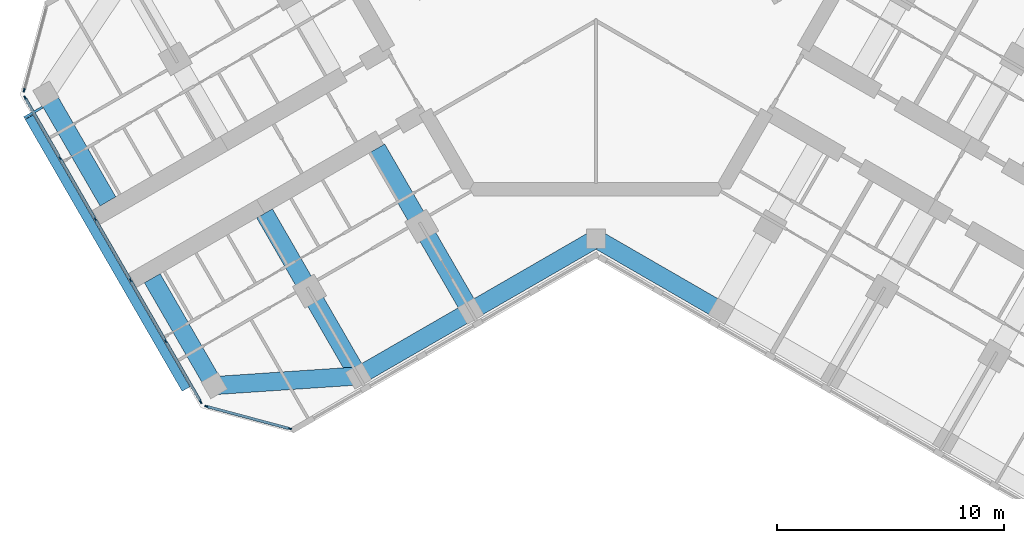
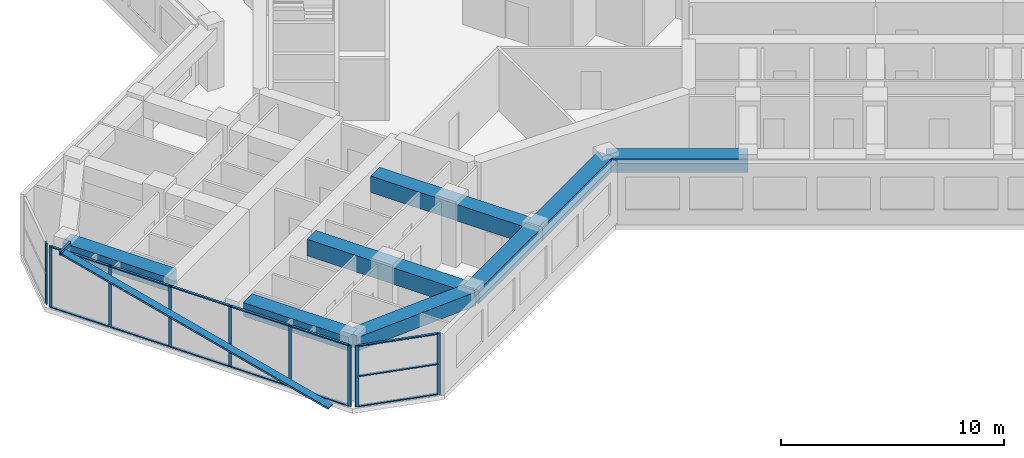
# One storey, part 2 of 16: 24 members, 8 beams, 3 elements without a shape of their own.
"""IFC4 building model written with IfcOpenShell, lengths in metres."""

from ifc_helpers import new_model, si_unit, direction, frame, origin, origin_2d, place, context, subcontext, project, spatial, rectangle, hollow_rectangle, extrude, material, material_profile, profile_set, type_object, element, aggregate, save


model = new_model("IFC4")

# Units and contexts
model_context = context("Model", 3, precision=1e-05, world=origin(), true_north=direction((0.0, 1.0)))
body_context = subcontext(model_context, "Body", "Model", "MODEL_VIEW")
ifc_project = project(units=[si_unit("LENGTHUNIT", "METRE"), si_unit("AREAUNIT", "SQUARE_METRE"), si_unit("VOLUMEUNIT", "CUBIC_METRE"), si_unit("PLANEANGLEUNIT", "RADIAN"), si_unit("MASSUNIT", "GRAM", prefix="KILO")], contexts=[model_context])

# Site, building, storey
site_placement = place(None, origin())
site = spatial("IfcSite", under=ifc_project, at=site_placement, CompositionType="ELEMENT")
building_placement = place(site_placement, origin())
building = spatial("IfcBuilding", under=site, at=building_placement, Name="Kosmar Iwan School Tower", CompositionType="ELEMENT")
storey_placement = place(building_placement, frame((0.0, 0.0, 242.39990234375)))
storey = spatial("IfcBuildingStorey", under=building, at=storey_placement, Name="L61", CompositionType="ELEMENT", Elevation=242.39990234375)

# Members
ifc_material_1 = material(Name="Black anodised aluminium", Category="aluminium")
ifc_material_profile_1 = material_profile(ifc_material_1, rectangle(XDim=0.10009765625, YDim=0.39990234375, at=origin_2d()), Name="FIN 100x400")
ifc_profile_set_1 = profile_set([ifc_material_profile_1], Name="Black anodised aluminium")
member_type_1 = type_object("IfcMemberType", Name="Diagonal fin 100x400", PredefinedType="USERDEFINED", material=ifc_profile_set_1)
member_1_placement = place(storey_placement, frame((-18.0283203125, -18.3740234375, -0.14990234375), z_axis=(-0.483800388566, 0.837965217343, 0.2524905514), x_axis=(0.126245460598, -0.218663124976, 0.96759935999)))
element("IfcMember", 1, at=member_1_placement, inside=storey, type_object=member_type_1, Name="Diagonal fin L61-F11", ObjectType="FIN", PredefinedType="USERDEFINED", context=body_context, shape_type="SweptSolid", body=[
    extrude(rectangle(XDim=0.10009765625, YDim=0.39990234375, at=origin_2d()), origin(), (0.0, 0.0, 1.0), 14.25830078125),
])
ifc_material_2 = material(Name="Steel S355", Category="steel")
ifc_material_profile_2 = material_profile(ifc_material_2, hollow_rectangle(XDim=0.10009765625, YDim=0.199951171875, WallThickness=0.008056640625, at=origin_2d()), Name="RHS 200x100x8")
ifc_profile_set_2 = profile_set([ifc_material_profile_2], Name="Steel S355")
member_type_2 = type_object("IfcMemberType", Name="Fin bracket RHS 200x100", PredefinedType="USERDEFINED", material=ifc_profile_set_2)
member_2_placement = place(storey_placement, frame((-24.337158203125, -5.9970703125, 3.47509765625), z_axis=(-0.866058118026, -0.49994333299, 0.0), x_axis=(0.49994333299, -0.866058118026, 0.0)))
element("IfcMember", 2, at=member_2_placement, inside=storey, type_object=member_type_2, Name="Fin bracket L62", ObjectType="FIN BRACKET", PredefinedType="USERDEFINED", context=body_context, shape_type="SweptSolid", body=[
    extrude(hollow_rectangle(XDim=0.10009765625, YDim=0.199951171875, WallThickness=0.008056640625, at=origin_2d()), origin(), (0.0, 0.0, 1.0), 0.9248046875),
])

# Curtain wall, member
ifc_material_3 = material(Name="Dark glass in black aluminium frame", Category="aluminium")
curtain_wall_type_1 = type_object("IfcCurtainWallType", Name="Chamfer curtain wall dark glass", PredefinedType="USERDEFINED", material=ifc_material_3)
curtain_wall_1_placement = place(storey_placement, origin())
curtain_wall_1 = element("IfcCurtainWall", 3, at=curtain_wall_1_placement, inside=storey, type_object=curtain_wall_type_1, Name="Curtain wall L61-F10", ObjectType="FACETED CURTAIN WALL", PredefinedType="USERDEFINED")
ifc_material_4 = material(Name="Black anodised aluminium", Category="aluminium")
ifc_material_profile_3 = material_profile(ifc_material_4, rectangle(XDim=0.06005859375, YDim=0.159912109375, at=origin_2d()), Name="MULLION 60x160")
ifc_profile_set_3 = profile_set([ifc_material_profile_3], Name="Black anodised aluminium")
member_type_3 = type_object("IfcMemberType", Name="Mullion 60x160", PredefinedType="MULLION", material=ifc_profile_set_3)
member_3_placement = place(storey_placement, frame((-25.141845703125, -5.24853515625, 0.0), z_axis=(0.0, 0.0, 1.0), x_axis=(0.965925875495, -0.258818861462, 0.0)))
member_3 = element("IfcMember", 4, at=member_3_placement, type_object=member_type_3, Name="CW2 mullion 2", PredefinedType="MULLION", context=body_context, shape_type="SweptSolid", body=[
    extrude(rectangle(XDim=0.06005859375, YDim=0.159912109375, at=origin_2d()), origin(), (0.0, 0.0, 1.0), 3.35009765625),
])
aggregate(curtain_wall_1, [member_3])

# Curtain wall, members
ifc_material_5 = material(Name="Dark glass in black aluminium frame", Category="aluminium")
curtain_wall_type_2 = type_object("IfcCurtainWallType", Name="Tower curtain wall dark glass", PredefinedType="USERDEFINED", material=ifc_material_5)
curtain_wall_2_placement = place(storey_placement, origin())
curtain_wall_2 = element("IfcCurtainWall", 5, at=curtain_wall_2_placement, inside=storey, type_object=curtain_wall_type_2, Name="Curtain wall L61-F11", ObjectType="UNITISED CURTAIN WALL", PredefinedType="USERDEFINED")
member_4_placement = place(storey_placement, frame((-25.098388671875, -5.578369140625, 0.0), z_axis=(0.0, 0.0, 1.0), x_axis=(0.866025405329, 0.499999997325, 0.0)))
member_4 = element("IfcMember", 6, at=member_4_placement, type_object=member_type_3, Name="CW1 mullion 1", PredefinedType="MULLION", context=body_context, shape_type="SweptSolid", body=[
    extrude(rectangle(XDim=0.06005859375, YDim=0.159912109375, at=origin_2d()), origin(), (0.0, 0.0, 1.0), 3.35009765625),
])
member_5_placement = place(storey_placement, frame((-23.563720703125, -8.236328125, 0.0), z_axis=(0.0, 0.0, 1.0), x_axis=(0.866025405329, 0.499999997325, 0.0)))
member_5 = element("IfcMember", 7, at=member_5_placement, type_object=member_type_3, Name="CW1 mullion 2", PredefinedType="MULLION", context=body_context, shape_type="SweptSolid", body=[
    extrude(rectangle(XDim=0.06005859375, YDim=0.159912109375, at=origin_2d()), origin(), (0.0, 0.0, 1.0), 3.35009765625),
])
member_6_placement = place(storey_placement, frame((-22.01416015625, -10.92041015625, 0.0), z_axis=(0.0, 0.0, 1.0), x_axis=(0.866025405329, 0.499999997325, 0.0)))
member_6 = element("IfcMember", 8, at=member_6_placement, type_object=member_type_3, Name="CW1 mullion 3", PredefinedType="MULLION", context=body_context, shape_type="SweptSolid", body=[
    extrude(rectangle(XDim=0.06005859375, YDim=0.159912109375, at=origin_2d()), origin(), (0.0, 0.0, 1.0), 3.35009765625),
])
member_7_placement = place(storey_placement, frame((-20.46435546875, -13.6044921875, 0.0), z_axis=(0.0, 0.0, 1.0), x_axis=(0.866025405329, 0.499999997325, 0.0)))
member_7 = element("IfcMember", 9, at=member_7_placement, type_object=member_type_3, Name="CW1 mullion 4", PredefinedType="MULLION", context=body_context, shape_type="SweptSolid", body=[
    extrude(rectangle(XDim=0.06005859375, YDim=0.159912109375, at=origin_2d()), origin(), (0.0, 0.0, 1.0), 3.35009765625),
])
member_8_placement = place(storey_placement, frame((-18.914794921875, -16.28857421875, 0.0), z_axis=(0.0, 0.0, 1.0), x_axis=(0.866025405329, 0.499999997325, 0.0)))
member_8 = element("IfcMember", 10, at=member_8_placement, type_object=member_type_3, Name="CW1 mullion 5", PredefinedType="MULLION", context=body_context, shape_type="SweptSolid", body=[
    extrude(rectangle(XDim=0.06005859375, YDim=0.159912109375, at=origin_2d()), origin(), (0.0, 0.0, 1.0), 3.35009765625),
])
member_9_placement = place(storey_placement, frame((-17.380126953125, -18.94677734375, 0.0), z_axis=(0.0, 0.0, 1.0), x_axis=(0.866025405329, 0.499999997325, 0.0)))
member_9 = element("IfcMember", 11, at=member_9_placement, type_object=member_type_3, Name="CW1 mullion 6", PredefinedType="MULLION", context=body_context, shape_type="SweptSolid", body=[
    extrude(rectangle(XDim=0.06005859375, YDim=0.159912109375, at=origin_2d()), origin(), (0.0, 0.0, 1.0), 3.35009765625),
])

curtain_wall_3_placement = place(storey_placement, origin())
curtain_wall_3 = element("IfcCurtainWall", 12, at=curtain_wall_3_placement, inside=storey, type_object=curtain_wall_type_1, Name="Curtain wall L61-F12", ObjectType="FACETED CURTAIN WALL", PredefinedType="USERDEFINED")
member_10_placement = place(storey_placement, frame((-17.1162109375, -19.149169921875, 0.0), z_axis=(0.0, 0.0, 1.0), x_axis=(0.258818861462, 0.965925875495, 0.0)))
member_10 = element("IfcMember", 13, at=member_10_placement, type_object=member_type_3, Name="CW2 mullion 1", PredefinedType="MULLION", context=body_context, shape_type="SweptSolid", body=[
    extrude(rectangle(XDim=0.06005859375, YDim=0.159912109375, at=origin_2d()), origin(), (0.0, 0.0, 1.0), 3.35009765625),
])
member_11_placement = place(storey_placement, frame((-13.466064453125, -20.127197265625, 0.0), z_axis=(0.0, 0.0, 1.0), x_axis=(0.258818861462, 0.965925875495, 0.0)))
member_11 = element("IfcMember", 14, at=member_11_placement, type_object=member_type_3, Name="CW2 mullion 2", PredefinedType="MULLION", context=body_context, shape_type="SweptSolid", body=[
    extrude(rectangle(XDim=0.06005859375, YDim=0.159912109375, at=origin_2d()), origin(), (0.0, 0.0, 1.0), 3.35009765625),
])

# Beams
ifc_material_6 = material(Name="Concrete C50/60", Category="concrete")
ifc_material_profile_4 = material_profile(ifc_material_6, rectangle(XDim=0.800048828125, YDim=0.75, at=origin_2d()), Name="RC 800x750")
ifc_profile_set_4 = profile_set([ifc_material_profile_4], Name="Concrete C50/60")
beam_type_1 = type_object("IfcBeamType", Name="RC edge beam 800x750", PredefinedType="BEAM", material=ifc_profile_set_4)
beam_1_placement = place(storey_placement, frame((0.0, -11.77783203125, 2.97509765625), z_axis=(-0.866014293216, -0.500019243575, 0.0), x_axis=(0.500019243575, -0.866014293216, 0.0)))
element("IfcBeam", 15, at=beam_1_placement, inside=storey, type_object=beam_type_1, Name="Edge beam BL1", PredefinedType="BEAM", context=body_context, shape_type="SweptSolid", body=[
    extrude(rectangle(XDim=0.800048828125, YDim=0.75, at=origin_2d()), origin(), (0.0, 0.0, 1.0), 6.361083984375),
])
beam_2_placement = place(storey_placement, frame((-5.5087890625, -14.95849609375, 2.97509765625), z_axis=(-0.866033658841, -0.49998570155, 0.0), x_axis=(0.49998570155, -0.866033658841, 0.0)))
element("IfcBeam", 16, at=beam_2_placement, inside=storey, type_object=beam_type_1, Name="Edge beam BL2", PredefinedType="BEAM", context=body_context, shape_type="SweptSolid", body=[
    extrude(rectangle(XDim=0.800048828125, YDim=0.75, at=origin_2d()), origin(), (0.0, 0.0, 1.0), 5.699951171875),
])
beam_3_placement = place(storey_placement, frame((0.0, -11.77783203125, 2.97509765625), z_axis=(0.866014293216, -0.500019243575, 0.0), x_axis=(0.500019243575, 0.866014293216, 0.0)))
element("IfcBeam", 17, at=beam_3_placement, inside=storey, type_object=beam_type_1, Name="Edge beam CR1", PredefinedType="BEAM", context=body_context, shape_type="SweptSolid", body=[
    extrude(rectangle(XDim=0.800048828125, YDim=0.75, at=origin_2d()), origin(), (0.0, 0.0, 1.0), 6.361083984375),
])
ifc_material_7 = material(Name="Concrete C50/60", Category="concrete")
ifc_material_profile_5 = material_profile(ifc_material_7, rectangle(XDim=0.800048828125, YDim=0.75, at=origin_2d()), Name="RC 800x750")
ifc_profile_set_5 = profile_set([ifc_material_profile_5], Name="Concrete C50/60")
beam_type_2 = type_object("IfcBeamType", Name="RC tip beam 800x750", PredefinedType="BEAM", material=ifc_profile_set_5)
beam_4_placement = place(storey_placement, frame((-10.445068359375, -17.808349609375, 2.97509765625), z_axis=(-0.997755118724, -0.066968074933, 0.0), x_axis=(0.066968074933, -0.997755118724, 0.0)))
element("IfcBeam", 18, at=beam_4_placement, inside=storey, type_object=beam_type_2, Name="Tip beam BL", PredefinedType="BEAM", context=body_context, shape_type="SweptSolid", body=[
    extrude(rectangle(XDim=0.800048828125, YDim=0.75, at=origin_2d()), origin(), (0.0, 0.0, 1.0), 6.3505859375),
])
beam_5_placement = place(storey_placement, frame((-16.781494140625, -18.233642578125, 2.97509765625), z_axis=(-0.500002931134, 0.866023711487, 0.0), x_axis=(-0.866023711487, -0.500002931134, 0.0)))
element("IfcBeam", 19, at=beam_5_placement, inside=storey, type_object=beam_type_2, Name="Tip beam BL to corridor wall", PredefinedType="BEAM", context=body_context, shape_type="SweptSolid", body=[
    extrude(rectangle(XDim=0.800048828125, YDim=0.75, at=origin_2d()), origin(), (0.0, 0.0, 1.0), 5.4501953125),
])
beam_6_placement = place(storey_placement, frame((-24.181396484375, -5.41650390625, 2.97509765625), z_axis=(0.499988730927, -0.866031909889, 0.0), x_axis=(0.866031909889, 0.499988730927, 0.0)))
element("IfcBeam", 20, at=beam_6_placement, inside=storey, type_object=beam_type_2, Name="Tip beam BR to corridor wall", PredefinedType="BEAM", context=body_context, shape_type="SweptSolid", body=[
    extrude(rectangle(XDim=0.800048828125, YDim=0.75, at=origin_2d()), origin(), (0.0, 0.0, 1.0), 5.449951171875),
])
ifc_material_8 = material(Name="Concrete C50/60", Category="concrete")
ifc_material_profile_6 = material_profile(ifc_material_8, rectangle(XDim=0.800048828125, YDim=0.89990234375, at=origin_2d()), Name="RC 800x900")
ifc_profile_set_6 = profile_set([ifc_material_profile_6], Name="Concrete C50/60")
beam_type_3 = type_object("IfcBeamType", Name="RC transverse beam 800x900", PredefinedType="BEAM", material=ifc_profile_set_6)
beam_7_placement = place(storey_placement, frame((-5.5087890625, -14.95849609375, 2.900146484375), z_axis=(-0.499996545922, 0.866027397988, 0.0), x_axis=(-0.866027397988, -0.499996545922, 0.0)))
element("IfcBeam", 21, at=beam_7_placement, inside=storey, type_object=beam_type_3, Name="Transverse beam BL1", PredefinedType="BEAM", context=body_context, shape_type="SweptSolid", body=[
    extrude(rectangle(XDim=0.800048828125, YDim=0.89990234375, at=origin_2d()), origin(), (0.0, 0.0, 1.0), 8.25),
])
beam_8_placement = place(storey_placement, frame((-10.445068359375, -17.808349609375, 2.900146484375), z_axis=(-0.500009360108, 0.866019999656, 0.0), x_axis=(-0.866019999656, -0.500009360108, 0.0)))
element("IfcBeam", 22, at=beam_8_placement, inside=storey, type_object=beam_type_3, Name="Transverse beam BL2", PredefinedType="BEAM", context=body_context, shape_type="SweptSolid", body=[
    extrude(rectangle(XDim=0.800048828125, YDim=0.89990234375, at=origin_2d()), origin(), (0.0, 0.0, 1.0), 8.249755859375),
])

# Member
ifc_material_9 = material(Name="Black anodised aluminium", Category="aluminium")
ifc_material_profile_7 = material_profile(ifc_material_9, rectangle(XDim=0.1201171875, YDim=0.06005859375, at=origin_2d()), Name="TRANSOM 60x120")
ifc_profile_set_7 = profile_set([ifc_material_profile_7], Name="Black anodised aluminium")
member_type_4 = type_object("IfcMemberType", Name="Transom 60x120", PredefinedType="USERDEFINED", material=ifc_profile_set_7)
member_12_placement = place(storey_placement, frame((-25.08349609375, -5.604248046875, 0.030029296875), z_axis=(0.499986971506, -0.866032925658, 0.0), x_axis=(0.866032925658, 0.499986971506, 0.0)))
member_12 = element("IfcMember", 23, at=member_12_placement, type_object=member_type_4, Name="CW1 transom 1.1", ObjectType="TRANSOM", PredefinedType="USERDEFINED", context=body_context, shape_type="SweptSolid", body=[
    extrude(rectangle(XDim=0.1201171875, YDim=0.06005859375, at=origin_2d()), origin(), (0.0, 0.0, 1.0), 3.00927734375),
])

member_13_placement = place(storey_placement, frame((-25.08349609375, -5.604248046875, 3.320068359375), z_axis=(0.499986971506, -0.866032925658, 0.0), x_axis=(0.866032925658, 0.499986971506, 0.0)))
member_13 = element("IfcMember", 24, at=member_13_placement, type_object=member_type_4, Name="CW1 transom 1.2", ObjectType="TRANSOM", PredefinedType="USERDEFINED", context=body_context, shape_type="SweptSolid", body=[
    extrude(rectangle(XDim=0.1201171875, YDim=0.06005859375, at=origin_2d()), origin(), (0.0, 0.0, 1.0), 3.00927734375),
])

member_14_placement = place(storey_placement, frame((-23.548828125, -8.262451171875, 0.030029296875), z_axis=(0.500035348339, -0.866004994449, 0.0), x_axis=(0.866004994449, 0.500035348339, 0.0)))
member_14 = element("IfcMember", 25, at=member_14_placement, type_object=member_type_4, Name="CW1 transom 2.1", ObjectType="TRANSOM", PredefinedType="USERDEFINED", context=body_context, shape_type="SweptSolid", body=[
    extrude(rectangle(XDim=0.1201171875, YDim=0.06005859375, at=origin_2d()), origin(), (0.0, 0.0, 1.0), 3.039306640625),
])

member_15_placement = place(storey_placement, frame((-23.548828125, -8.262451171875, 3.320068359375), z_axis=(0.500035348339, -0.866004994449, 0.0), x_axis=(0.866004994449, 0.500035348339, 0.0)))
member_15 = element("IfcMember", 26, at=member_15_placement, type_object=member_type_4, Name="CW1 transom 2.2", ObjectType="TRANSOM", PredefinedType="USERDEFINED", context=body_context, shape_type="SweptSolid", body=[
    extrude(rectangle(XDim=0.1201171875, YDim=0.06005859375, at=origin_2d()), origin(), (0.0, 0.0, 1.0), 3.039306640625),
])

member_16_placement = place(storey_placement, frame((-21.9990234375, -10.946533203125, 0.030029296875), z_axis=(0.499975102327, -0.866039777986, 0.0), x_axis=(0.866039777986, 0.499975102327, 0.0)))
member_16 = element("IfcMember", 27, at=member_16_placement, type_object=member_type_4, Name="CW1 transom 3.1", ObjectType="TRANSOM", PredefinedType="USERDEFINED", context=body_context, shape_type="SweptSolid", body=[
    extrude(rectangle(XDim=0.1201171875, YDim=0.06005859375, at=origin_2d()), origin(), (0.0, 0.0, 1.0), 3.039306640625),
])

member_17_placement = place(storey_placement, frame((-21.9990234375, -10.946533203125, 3.320068359375), z_axis=(0.499975102327, -0.866039777986, 0.0), x_axis=(0.866039777986, 0.499975102327, 0.0)))
member_17 = element("IfcMember", 28, at=member_17_placement, type_object=member_type_4, Name="CW1 transom 3.2", ObjectType="TRANSOM", PredefinedType="USERDEFINED", context=body_context, shape_type="SweptSolid", body=[
    extrude(rectangle(XDim=0.1201171875, YDim=0.06005859375, at=origin_2d()), origin(), (0.0, 0.0, 1.0), 3.039306640625),
])

member_18_placement = place(storey_placement, frame((-20.449462890625, -13.630615234375, 0.030029296875), z_axis=(0.500035348339, -0.866004994449, 0.0), x_axis=(0.866004994449, 0.500035348339, 0.0)))
member_18 = element("IfcMember", 29, at=member_18_placement, type_object=member_type_4, Name="CW1 transom 4.1", ObjectType="TRANSOM", PredefinedType="USERDEFINED", context=body_context, shape_type="SweptSolid", body=[
    extrude(rectangle(XDim=0.1201171875, YDim=0.06005859375, at=origin_2d()), origin(), (0.0, 0.0, 1.0), 3.039306640625),
])

member_19_placement = place(storey_placement, frame((-20.449462890625, -13.630615234375, 3.320068359375), z_axis=(0.500035348339, -0.866004994449, 0.0), x_axis=(0.866004994449, 0.500035348339, 0.0)))
member_19 = element("IfcMember", 30, at=member_19_placement, type_object=member_type_4, Name="CW1 transom 4.2", ObjectType="TRANSOM", PredefinedType="USERDEFINED", context=body_context, shape_type="SweptSolid", body=[
    extrude(rectangle(XDim=0.1201171875, YDim=0.06005859375, at=origin_2d()), origin(), (0.0, 0.0, 1.0), 3.039306640625),
])

member_20_placement = place(storey_placement, frame((-18.89990234375, -16.314697265625, 0.030029296875), z_axis=(0.500022102064, -0.866012642776, 0.0), x_axis=(0.866012642776, 0.500022102064, 0.0)))
member_20 = element("IfcMember", 31, at=member_20_placement, type_object=member_type_4, Name="CW1 transom 5.1", ObjectType="TRANSOM", PredefinedType="USERDEFINED", context=body_context, shape_type="SweptSolid", body=[
    extrude(rectangle(XDim=0.1201171875, YDim=0.06005859375, at=origin_2d()), origin(), (0.0, 0.0, 1.0), 3.009033203125),
])

member_21_placement = place(storey_placement, frame((-18.89990234375, -16.314697265625, 3.320068359375), z_axis=(0.500022102064, -0.866012642776, 0.0), x_axis=(0.866012642776, 0.500022102064, 0.0)))
member_21 = element("IfcMember", 32, at=member_21_placement, type_object=member_type_4, Name="CW1 transom 5.2", ObjectType="TRANSOM", PredefinedType="USERDEFINED", context=body_context, shape_type="SweptSolid", body=[
    extrude(rectangle(XDim=0.1201171875, YDim=0.06005859375, at=origin_2d()), origin(), (0.0, 0.0, 1.0), 3.009033203125),
])

aggregate(curtain_wall_2, [member_4, member_5, member_6, member_7, member_8, member_9, member_12, member_13, member_14, member_15, member_16, member_17, member_18, member_19, member_20, member_21])

member_22_placement = place(storey_placement, frame((-17.08740234375, -19.156982421875, 0.030029296875), z_axis=(0.965940141052, -0.258765615768, 0.0), x_axis=(0.258765615768, 0.965940141052, 0.0)))
member_22 = element("IfcMember", 33, at=member_22_placement, type_object=member_type_4, Name="CW2 transom 1.1", ObjectType="TRANSOM", PredefinedType="USERDEFINED", context=body_context, shape_type="SweptSolid", body=[
    extrude(rectangle(XDim=0.1201171875, YDim=0.06005859375, at=origin_2d()), origin(), (0.0, 0.0, 1.0), 3.71923828125),
])

member_23_placement = place(storey_placement, frame((-17.08740234375, -19.156982421875, 1.675048828125), z_axis=(0.965940141052, -0.258765615768, 0.0), x_axis=(0.258765615768, 0.965940141052, 0.0)))
member_23 = element("IfcMember", 34, at=member_23_placement, type_object=member_type_4, Name="CW2 transom 1.2", ObjectType="TRANSOM", PredefinedType="USERDEFINED", context=body_context, shape_type="SweptSolid", body=[
    extrude(rectangle(XDim=0.1201171875, YDim=0.06005859375, at=origin_2d()), origin(), (0.0, 0.0, 1.0), 3.71923828125),
])

member_24_placement = place(storey_placement, frame((-17.08740234375, -19.156982421875, 3.320068359375), z_axis=(0.965940141052, -0.258765615768, 0.0), x_axis=(0.258765615768, 0.965940141052, 0.0)))
member_24 = element("IfcMember", 35, at=member_24_placement, type_object=member_type_4, Name="CW2 transom 1.3", ObjectType="TRANSOM", PredefinedType="USERDEFINED", context=body_context, shape_type="SweptSolid", body=[
    extrude(rectangle(XDim=0.1201171875, YDim=0.06005859375, at=origin_2d()), origin(), (0.0, 0.0, 1.0), 3.71923828125),
])

aggregate(curtain_wall_3, [member_10, member_11, member_22, member_23, member_24])

save(model, "model.ifc")
